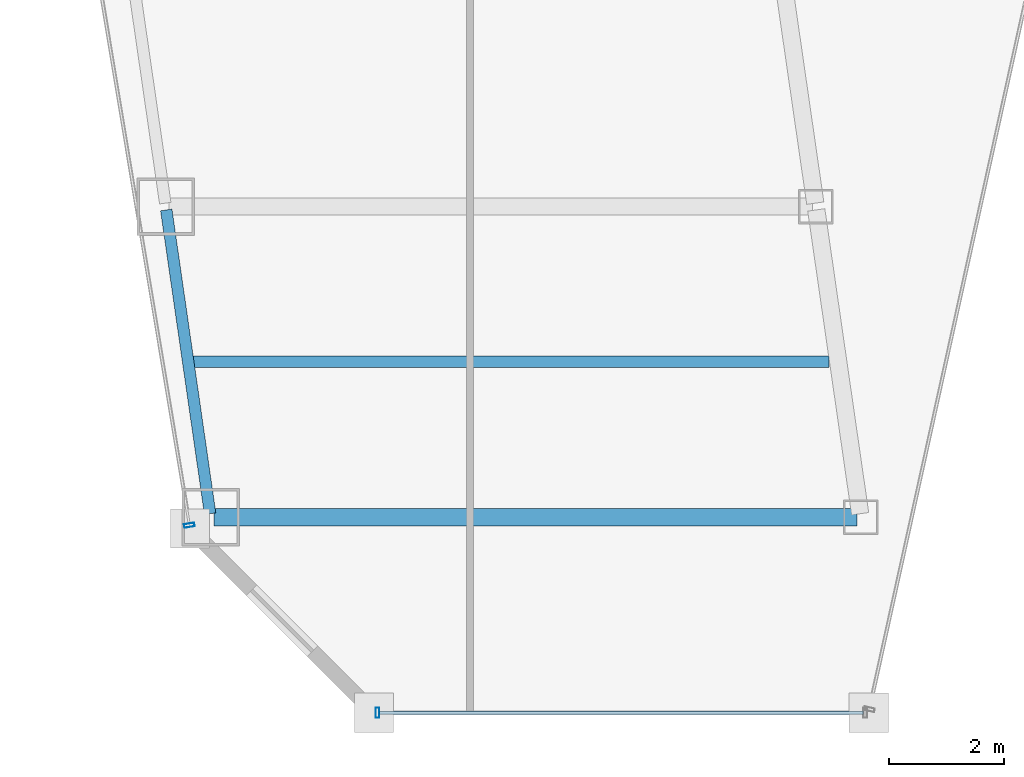
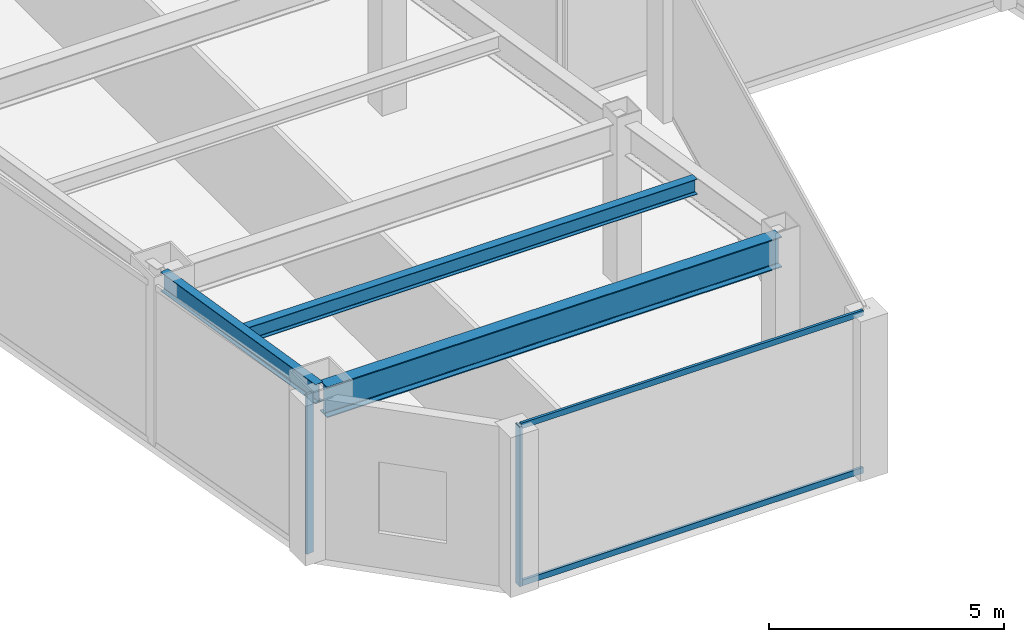
# One storey, part 2 of 37: 4 members, 3 beams, 2 elements without a shape of their own.
"""IFC4 building model written with IfcOpenShell, lengths in metres."""

from ifc_helpers import new_model, si_unit, direction, frame, origin, origin_2d, place, context, subcontext, project, spatial, hollow_rectangle, i_section, extrude, material, material_profile, profile_set, type_object, element, aggregate, save


model = new_model("IFC4")

# Units and contexts
model_context = context("Model", 3, precision=1e-05, world=origin(), true_north=direction((0.0, 1.0)))
body_context = subcontext(model_context, "Body", "Model", "MODEL_VIEW")
ifc_project = project(units=[si_unit("LENGTHUNIT", "METRE"), si_unit("AREAUNIT", "SQUARE_METRE"), si_unit("VOLUMEUNIT", "CUBIC_METRE"), si_unit("PLANEANGLEUNIT", "RADIAN"), si_unit("MASSUNIT", "GRAM", prefix="KILO")], contexts=[model_context])

# Site, building, storey
site_placement = place(None, origin())
site = spatial("IfcSite", under=ifc_project, at=site_placement, CompositionType="ELEMENT")
building_placement = place(site_placement, origin())
building = spatial("IfcBuilding", under=site, at=building_placement, Name="Saevonmaru Cultural Tower", CompositionType="ELEMENT")
storey_placement = place(building_placement, frame((0.0, 0.0, 110.39990234375)))
storey = spatial("IfcBuildingStorey", under=building, at=storey_placement, Name="L23", CompositionType="ELEMENT", Elevation=110.39990234375)

# Beams
ifc_material_1 = material(Name="Steel SM420", Category="steel")
ifc_material_profile_1 = material_profile(ifc_material_1, i_section(OverallWidth=0.300048828125, OverallDepth=0.800048828125, WebThickness=0.013916015625, FlangeThickness=0.02587890625, FilletRadius=0.028076171875, at=origin_2d()), Name="H-800x300x14x26")
ifc_profile_set_1 = profile_set([ifc_material_profile_1], Name="Steel SM420")
beam_type_1 = type_object("IfcBeamType", Name="BM-G-H800", PredefinedType="BEAM", material=ifc_profile_set_1)
beam_1_placement = place(storey_placement, frame((11.468017578125, 10.60009765625, 3.75), z_axis=(1.0, 0.0, 0.0), x_axis=(0.0, 1.0, 0.0)))
element("IfcBeam", 1, at=beam_1_placement, inside=storey, type_object=beam_type_1, Name="L23 West Wing Transverse Girder 1", PredefinedType="BEAM", context=body_context, shape_type="SweptSolid", body=[
    extrude(i_section(OverallWidth=0.300048828125, OverallDepth=0.800048828125, WebThickness=0.013916015625, FlangeThickness=0.02587890625, FilletRadius=0.028076171875, at=origin_2d()), origin(), (0.0, 0.0, 1.0), 11.179931640625),
])
ifc_material_2 = material(Name="Steel SM355", Category="steel")
ifc_material_profile_2 = material_profile(ifc_material_2, i_section(OverallWidth=0.199951171875, OverallDepth=0.39990234375, WebThickness=0.008056640625, FlangeThickness=0.012939453125, FilletRadius=0.01611328125, at=origin_2d()), Name="H-400x200x8x13")
ifc_profile_set_2 = profile_set([ifc_material_profile_2], Name="Steel SM355")
beam_type_2 = type_object("IfcBeamType", Name="BM-J-H400", PredefinedType="JOIST", material=ifc_profile_set_2)
beam_2_placement = place(storey_placement, frame((11.077880859375, 13.300048828125, 3.9501953125), z_axis=(1.0, 0.0, 0.0), x_axis=(0.0, 1.0, 0.0)))
element("IfcBeam", 2, at=beam_2_placement, inside=storey, type_object=beam_type_2, Name="L23 West Wing Floor Joist 1", PredefinedType="JOIST", context=body_context, shape_type="SweptSolid", body=[
    extrude(i_section(OverallWidth=0.199951171875, OverallDepth=0.39990234375, WebThickness=0.008056640625, FlangeThickness=0.012939453125, FilletRadius=0.01611328125, at=origin_2d()), origin(), (0.0, 0.0, 1.0), 11.08203125),
])
ifc_material_profile_3 = material_profile(ifc_material_2, i_section(OverallWidth=0.199951171875, OverallDepth=0.5, WebThickness=0.010009765625, FlangeThickness=0.01611328125, FilletRadius=0.02001953125, at=origin_2d()), Name="H-500x200x10x16")
ifc_profile_set_3 = profile_set([ifc_material_profile_3], Name="Steel SM355")
beam_type_3 = type_object("IfcBeamType", Name="BM-SP-H500", PredefinedType="SPANDREL", material=ifc_profile_set_3)
beam_3_placement = place(storey_placement, frame((11.3994140625, 10.659423828125, 3.900146484375), z_axis=(-0.1429328758, 0.989732384544, 0.0), x_axis=(-0.989732384544, -0.1429328758, 0.0)))
element("IfcBeam", 3, at=beam_3_placement, inside=storey, type_object=beam_type_3, Name="L23 West Splayed Spandrel 1", PredefinedType="SPANDREL", context=body_context, shape_type="SweptSolid", body=[
    extrude(i_section(OverallWidth=0.199951171875, OverallDepth=0.5, WebThickness=0.010009765625, FlangeThickness=0.01611328125, FilletRadius=0.02001953125, at=origin_2d()), origin(), (0.0, 0.0, 1.0), 5.3359375),
])

# Curtain wall, member
ifc_material_3 = material(Name="Satin Bronze Anodised Aluminium", Category="aluminium")
curtain_wall_type = type_object("IfcCurtainWallType", Name="CW-TYP-A", PredefinedType="NOTDEFINED", material=ifc_material_3)
curtain_wall_1_placement = place(storey_placement, origin())
curtain_wall_1 = element("IfcCurtainWall", 4, at=curtain_wall_1_placement, inside=storey, type_object=curtain_wall_type, Name="L23 Unitised Curtain Wall E2", PredefinedType="NOTDEFINED")
ifc_material_profile_4 = material_profile(ifc_material_3, hollow_rectangle(XDim=0.06494140625, YDim=0.179931640625, WallThickness=0.00390625, at=origin_2d()), Name="ALU-MULL-180x65x4")
ifc_profile_set_4 = profile_set([ifc_material_profile_4], Name="Satin Bronze Anodised Aluminium")
member_type_1 = type_object("IfcMemberType", Name="ML-CW-180x65", PredefinedType="MULLION", material=ifc_profile_set_4)
member_1_placement = place(storey_placement, frame((14.308837890625, 7.199951171875, 0.0), z_axis=(0.0, 0.0, 1.0), x_axis=(1.0, 0.0, 0.0)))
member_1 = element("IfcMember", 5, at=member_1_placement, type_object=member_type_1, Name="CW-TW-L23-E2 mullion 1", PredefinedType="MULLION", context=body_context, shape_type="SweptSolid", body=[
    extrude(hollow_rectangle(XDim=0.06494140625, YDim=0.179931640625, WallThickness=0.00390625, at=origin_2d()), origin(), (0.0, 0.0, 1.0), 4.150146484375),
])

curtain_wall_2_placement = place(storey_placement, origin())
curtain_wall_2 = element("IfcCurtainWall", 6, at=curtain_wall_2_placement, inside=storey, type_object=curtain_wall_type, Name="L23 Unitised Curtain Wall E12", PredefinedType="NOTDEFINED")
member_2_placement = place(storey_placement, frame((11.0390625, 10.459228515625, 0.0), z_axis=(0.0, 0.0, 1.0), x_axis=(0.163998702345, -0.986460554523, 0.0)))
member_2 = element("IfcMember", 7, at=member_2_placement, type_object=member_type_1, Name="CW-TW-L23-E12 mullion 5", PredefinedType="MULLION", context=body_context, shape_type="SweptSolid", body=[
    extrude(hollow_rectangle(XDim=0.06494140625, YDim=0.179931640625, WallThickness=0.00390625, at=origin_2d()), origin(), (0.0, 0.0, 1.0), 4.150146484375),
])
aggregate(curtain_wall_2, [member_2])

# Member
ifc_material_profile_5 = material_profile(ifc_material_3, hollow_rectangle(XDim=0.06494140625, YDim=0.14990234375, WallThickness=0.00390625, at=origin_2d()), Name="ALU-TRAN-150x65x4")
ifc_profile_set_5 = profile_set([ifc_material_profile_5], Name="Satin Bronze Anodised Aluminium")
member_type_2 = type_object("IfcMemberType", Name="TR-CW-150x65", PredefinedType="USERDEFINED", material=ifc_profile_set_5)
member_3_placement = place(storey_placement, frame((14.34130859375, 7.199951171875, 0.03271484375), z_axis=(1.0, 0.0, 0.0), x_axis=(0.0, 1.0, 0.0)))
member_3 = element("IfcMember", 8, at=member_3_placement, type_object=member_type_2, Name="CW-TW-L23-E2 transom 1.1", ObjectType="TRANSOM", PredefinedType="USERDEFINED", context=body_context, shape_type="SweptSolid", body=[
    extrude(hollow_rectangle(XDim=0.06494140625, YDim=0.14990234375, WallThickness=0.00390625, at=origin_2d()), origin(), (0.0, 0.0, 1.0), 8.4150390625),
])

member_4_placement = place(storey_placement, frame((14.34130859375, 7.199951171875, 4.11767578125), z_axis=(1.0, 0.0, 0.0), x_axis=(0.0, 1.0, 0.0)))
member_4 = element("IfcMember", 9, at=member_4_placement, type_object=member_type_2, Name="CW-TW-L23-E2 transom 1.2", ObjectType="TRANSOM", PredefinedType="USERDEFINED", context=body_context, shape_type="SweptSolid", body=[
    extrude(hollow_rectangle(XDim=0.06494140625, YDim=0.14990234375, WallThickness=0.00390625, at=origin_2d()), origin(), (0.0, 0.0, 1.0), 8.4150390625),
])

aggregate(curtain_wall_1, [member_1, member_3, member_4])

save(model, "model.ifc")
